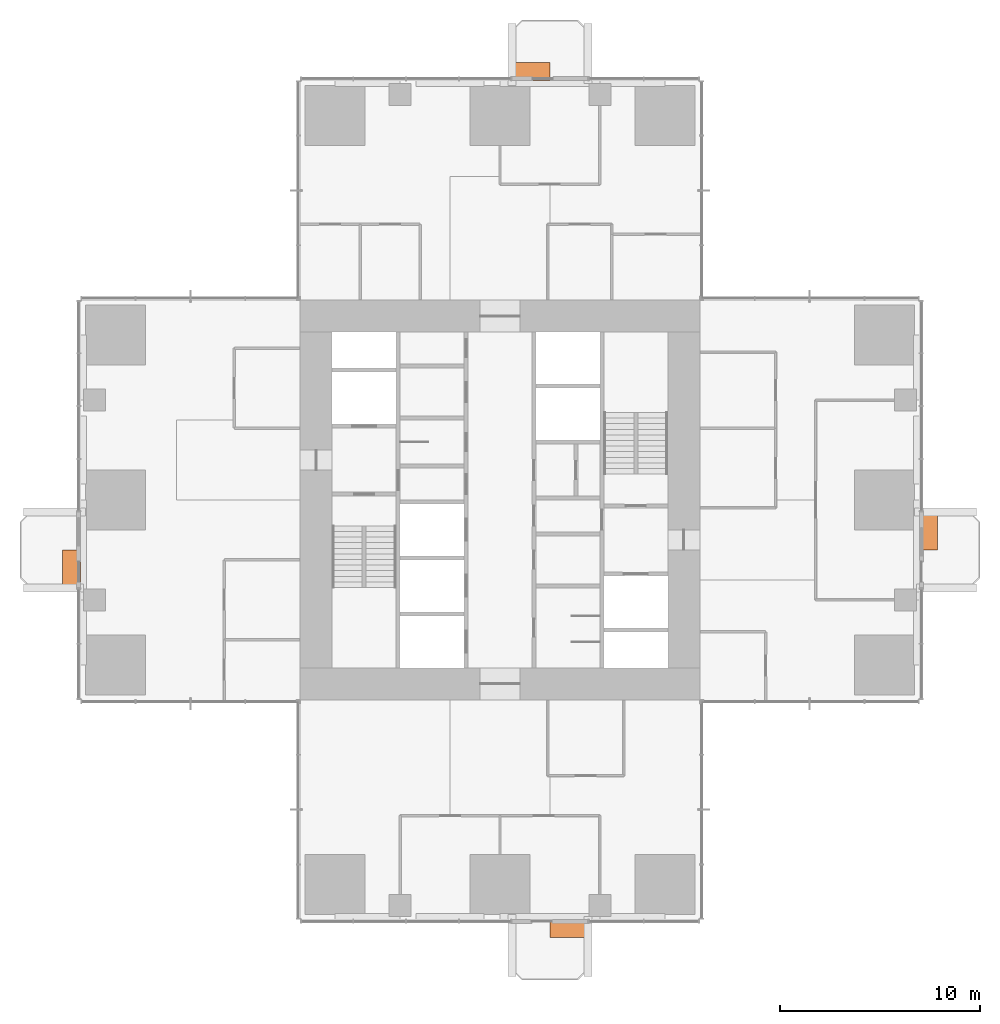
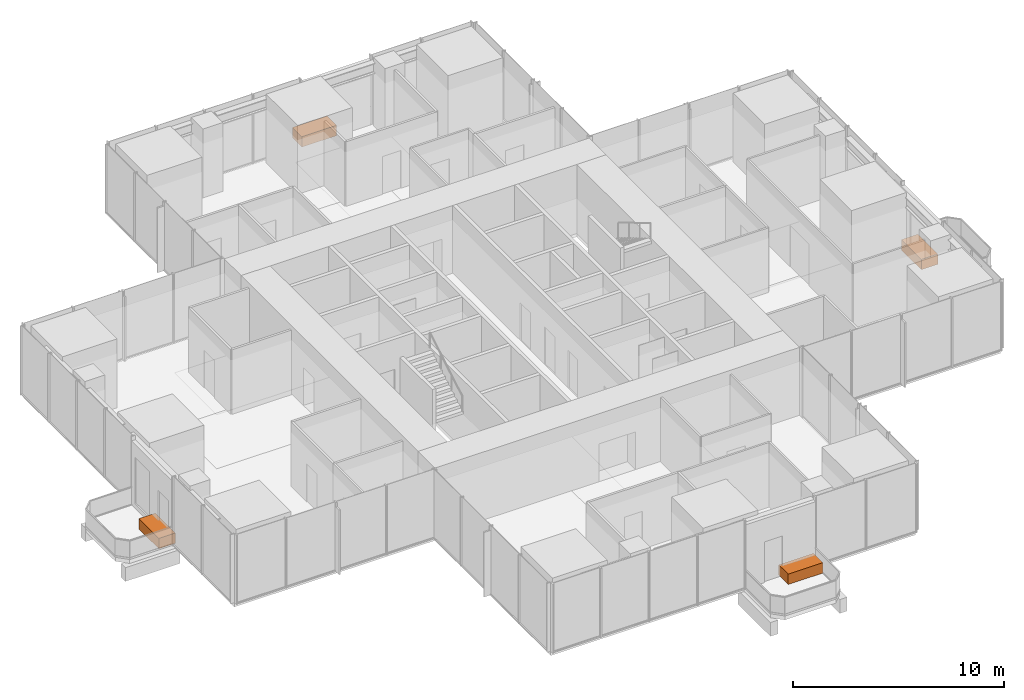
# One storey, part 13 of 13: 4 proxies.
"""IFC4 building model written with IfcOpenShell, lengths in metres."""

from ifc_helpers import new_model, si_unit, direction, frame, origin, origin_2d, place, context, subcontext, project, spatial, rectangle, extrude, element, save


model = new_model("IFC4")

# Units and contexts
model_context = context("Model", 3, precision=1e-05, world=origin(), true_north=direction((0.0, 1.0)))
body_context = subcontext(model_context, "Body", "Model", "MODEL_VIEW")
ifc_project = project(units=[si_unit("LENGTHUNIT", "METRE"), si_unit("AREAUNIT", "SQUARE_METRE"), si_unit("VOLUMEUNIT", "CUBIC_METRE"), si_unit("PLANEANGLEUNIT", "RADIAN"), si_unit("MASSUNIT", "GRAM", prefix="KILO")], contexts=[model_context])

# Site, building, storey
site_placement = place(None, origin())
site = spatial("IfcSite", under=ifc_project, at=site_placement, CompositionType="ELEMENT")
building_placement = place(site_placement, origin())
building = spatial("IfcBuilding", under=site, at=building_placement, Name="Svetlomir Tower", CompositionType="ELEMENT")
storey_placement = place(building_placement, frame((0.0, 0.0, 152.5)))
storey = spatial("IfcBuildingStorey", under=building, at=storey_placement, Name="L36", CompositionType="ELEMENT", Elevation=152.5)

# Proxies
proxy_1_placement = place(storey_placement, frame((24.449951171875, -0.449951171875, 0.0400390625), z_axis=(0.0, 0.0, 1.0), x_axis=(1.0, 0.0, 0.0)))
element("IfcBuildingElementProxy", 1, at=proxy_1_placement, inside=storey, Name="Tree planter S L36", ObjectType="PLANTER", PredefinedType="USERDEFINED", context=body_context, shape_type="SweptSolid", body=[
    extrude(rectangle(XDim=1.89990234375, YDim=0.89990234375, at=origin_2d()), origin(), (0.0, 0.0, 1.0), 0.60009765625),
])
proxy_2_placement = place(storey_placement, frame((42.449951171875, 19.449951171875, 0.0400390625), z_axis=(0.0, 0.0, 1.0), x_axis=(1.0, 0.0, 0.0)))
element("IfcBuildingElementProxy", 2, at=proxy_2_placement, inside=storey, Name="Tree planter E L36", ObjectType="PLANTER", PredefinedType="USERDEFINED", context=body_context, shape_type="SweptSolid", body=[
    extrude(rectangle(XDim=0.89990234375, YDim=1.89990234375, at=origin_2d()), origin(), (0.0, 0.0, 1.0), 0.60009765625),
])
proxy_3_placement = place(storey_placement, frame((22.550048828125, 42.449951171875, 0.0400390625), z_axis=(0.0, 0.0, 1.0), x_axis=(1.0, 0.0, 0.0)))
element("IfcBuildingElementProxy", 3, at=proxy_3_placement, inside=storey, Name="Tree planter N L36", ObjectType="PLANTER", PredefinedType="USERDEFINED", context=body_context, shape_type="SweptSolid", body=[
    extrude(rectangle(XDim=1.89990234375, YDim=0.89990234375, at=origin_2d()), origin(), (0.0, 0.0, 1.0), 0.60009765625),
])
proxy_4_placement = place(storey_placement, frame((-0.449951171875, 17.550048828125, 0.0400390625), z_axis=(0.0, 0.0, 1.0), x_axis=(1.0, 0.0, 0.0)))
element("IfcBuildingElementProxy", 4, at=proxy_4_placement, inside=storey, Name="Tree planter W L36", ObjectType="PLANTER", PredefinedType="USERDEFINED", context=body_context, shape_type="SweptSolid", body=[
    extrude(rectangle(XDim=0.89990234375, YDim=1.89990234375, at=origin_2d()), origin(), (0.0, 0.0, 1.0), 0.60009765625),
])

save(model, "model.ifc")
